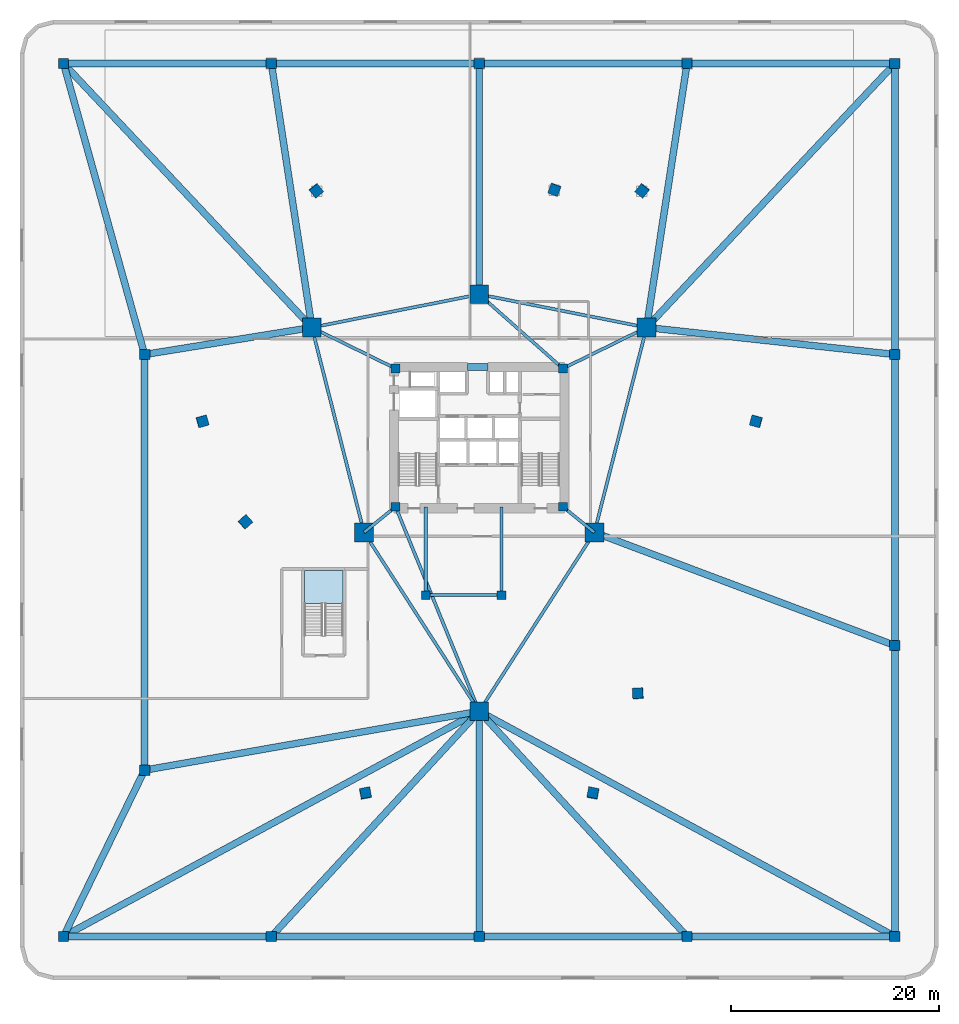
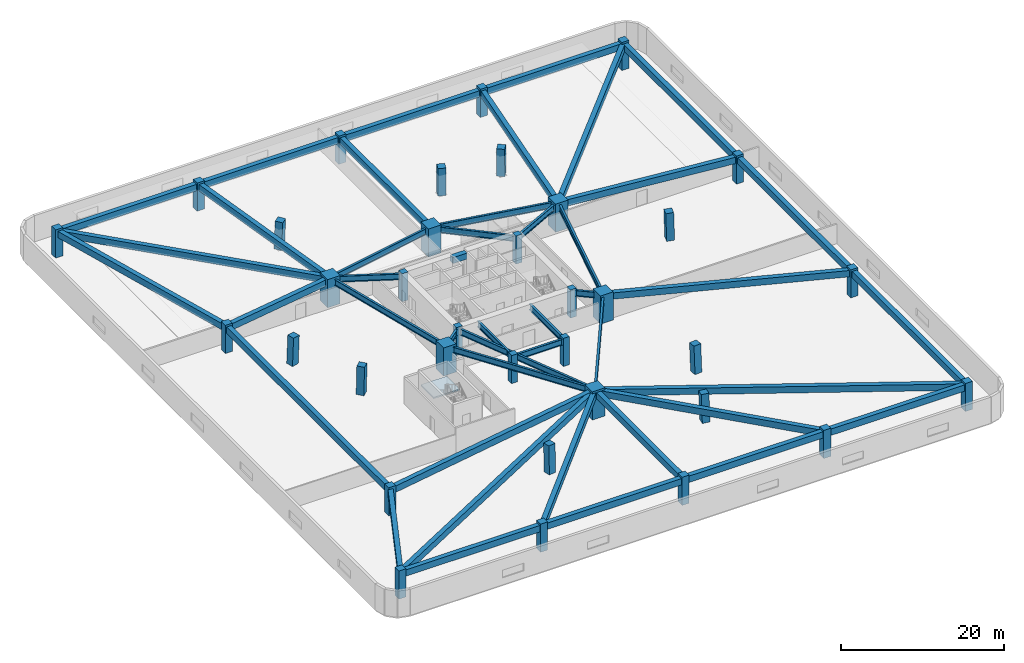
# One storey, part 1 of 10: 44 beams, 35 columns, 1 slab, 1 element without a shape of its own.
"""IFC4 building model written with IfcOpenShell, lengths in metres."""

from ifc_helpers import new_model, si_unit, direction, frame, origin, origin_2d, place, context, subcontext, project, spatial, polyline, rectangle, i_section, outline, extrude, material, layer, layer_set, material_profile, profile_set, type_object, element, aggregate, save


model = new_model("IFC4")

# Units and contexts
model_context = context("Model", 3, precision=1e-05, world=origin(), true_north=direction((0.0, 1.0)))
body_context = subcontext(model_context, "Body", "Model", "MODEL_VIEW")
ifc_project = project(units=[si_unit("LENGTHUNIT", "METRE"), si_unit("AREAUNIT", "SQUARE_METRE"), si_unit("VOLUMEUNIT", "CUBIC_METRE"), si_unit("PLANEANGLEUNIT", "RADIAN"), si_unit("MASSUNIT", "GRAM", prefix="KILO")], contexts=[model_context])

# Site, building, storey
site_placement = place(None, origin())
site = spatial("IfcSite", under=ifc_project, at=site_placement, CompositionType="ELEMENT")
building_placement = place(site_placement, origin())
building = spatial("IfcBuilding", under=site, at=building_placement, Name="Talyreon Biosciences Tower", CompositionType="ELEMENT")
storey_placement = place(building_placement, frame((0.0, 0.0, 14.39990234375)))
storey = spatial("IfcBuildingStorey", under=building, at=storey_placement, Name="L03", CompositionType="ELEMENT", Elevation=14.39990234375)

# Columns
ifc_material_1 = material(Name="Concrete C60/75", Category="concrete")
ifc_material_profile_1 = material_profile(ifc_material_1, rectangle(XDim=1.800048828125, YDim=1.800048828125, at=origin_2d()), Name="RC 1800x1800")
ifc_profile_set_1 = profile_set([ifc_material_profile_1], Name="Concrete C60/75")
column_type_1 = type_object("IfcColumnType", Name="MegaColumn_1800", PredefinedType="COLUMN", material=ifc_profile_set_1)
for number, where, z_axis, x_axis, name in (
    (1, (66.0, 41.6669921875, 0.0), (0.0, 0.0, 1.0), (1.0, 0.0, 0.0), "L03 Composite Mega-Column MC1"),
    (2, (82.102294921875, 78.5986328125, 0.0), (0.0, 0.0, 1.0), (1.0, 0.0, 0.0), "L03 Composite Mega-Column MC2"),
    (3, (49.897705078125, 78.5986328125, 0.0), (0.0, 0.0, 1.0), (1.0, 0.0, 0.0), "L03 Composite Mega-Column MC3"),
    (4, (77.086181640625, 58.88037109375, 0.0), (0.0, 0.0, 1.0), (1.0, 0.0, 0.0), "L03 Composite Mega-Column MC4"),
    (5, (66.0, 81.788818359375, 0.0), (0.0, 0.0, 1.0), (1.0, 0.0, 0.0), "L03 Composite Mega-Column MC5"),
    (6, (54.913818359375, 58.88037109375, 0.0), (0.0, 0.0, 1.0), (1.0, 0.0, 0.0), "L03 Composite Mega-Column MC6"),
):
    element("IfcColumn", number, at=place(storey_placement, frame(where, z_axis=z_axis, x_axis=x_axis)), inside=storey, type_object=column_type_1, Name=name, PredefinedType="COLUMN", context=body_context, shape_type="SweptSolid", body=[
        extrude(rectangle(XDim=1.800048828125, YDim=1.800048828125, at=origin_2d()), origin(), (0.0, 0.0, 1.0), 4.2001953125),
    ])
ifc_material_profile_2 = material_profile(ifc_material_1, rectangle(XDim=0.85009765625, YDim=0.85009765625, at=origin_2d()), Name="RC 850x850")
ifc_profile_set_2 = profile_set([ifc_material_profile_2], Name="Concrete C60/75")
column_type_2 = type_object("IfcColumnType", Name="PerimeterColumn_850", PredefinedType="COLUMN", material=ifc_profile_set_2)
for number, where, z_axis, x_axis, name in (
    (7, (57.949951171875, 61.35009765625, 0.0), (0.0, 0.0, 1.0), (1.0, 0.0, 0.0), "L03 Core Column CC1"),
    (8, (74.050048828125, 61.35009765625, 0.0), (0.0, 0.0, 1.0), (1.0, 0.0, 0.0), "L03 Core Column CC2"),
    (9, (74.050048828125, 74.64990234375, 0.0), (0.0, 0.0, 1.0), (1.0, 0.0, 0.0), "L03 Core Column CC3"),
    (10, (57.949951171875, 74.64990234375, 0.0), (0.0, 0.0, 1.0), (1.0, 0.0, 0.0), "L03 Core Column CC4"),
    (11, (60.85009765625, 52.840087890625, 0.0), (0.0, 0.0, 1.0), (1.0, 0.0, 0.0), "L03 Core Column CSW"),
    (12, (68.14990234375, 52.840087890625, 0.0), (0.0, 0.0, 1.0), (1.0, 0.0, 0.0), "L03 Core Column CSE"),
):
    element("IfcColumn", number, at=place(storey_placement, frame(where, z_axis=z_axis, x_axis=x_axis)), inside=storey, type_object=column_type_2, Name=name, PredefinedType="COLUMN", context=body_context, shape_type="SweptSolid", body=[
        extrude(rectangle(XDim=0.85009765625, YDim=0.85009765625, at=origin_2d()), origin(), (0.0, 0.0, 1.0), 4.2001953125),
    ])
ifc_material_profile_3 = material_profile(ifc_material_1, rectangle(XDim=1.0, YDim=1.0, at=origin_2d()), Name="RC 1000x1000")
ifc_profile_set_3 = profile_set([ifc_material_profile_3], Name="Concrete C60/75")
column_type_3 = type_object("IfcColumnType", Name="PodiumColumn_1000", PredefinedType="COLUMN", material=ifc_profile_set_3)
for number, where, z_axis, x_axis, name in (
    (13, (26.0, 20.0, 0.0), (0.0, 0.0, 1.0), (1.0, 0.0, 0.0), "L03 Podium Pilotis Column PDC01"),
    (14, (46.0, 20.0, 0.0), (0.0, 0.0, 1.0), (1.0, 0.0, 0.0), "L03 Podium Pilotis Column PDC02"),
    (15, (66.0, 20.0, 0.0), (0.0, 0.0, 1.0), (1.0, 0.0, 0.0), "L03 Podium Pilotis Column PDC03"),
    (16, (86.0, 20.0, 0.0), (0.0, 0.0, 1.0), (1.0, 0.0, 0.0), "L03 Podium Pilotis Column PDC04"),
    (17, (106.0, 20.0, 0.0), (0.0, 0.0, 1.0), (1.0, 0.0, 0.0), "L03 Podium Pilotis Column PDC05"),
    (18, (106.0, 48.0, 0.0), (0.0, 0.0, 1.0), (1.0, 0.0, 0.0), "L03 Podium Pilotis Column PDC06"),
    (19, (106.0, 76.0, 0.0), (0.0, 0.0, 1.0), (1.0, 0.0, 0.0), "L03 Podium Pilotis Column PDC07"),
    (20, (106.0, 104.0, 0.0), (0.0, 0.0, 1.0), (1.0, 0.0, 0.0), "L03 Podium Pilotis Column PDC08"),
    (21, (86.0, 104.0, 0.0), (0.0, 0.0, 1.0), (1.0, 0.0, 0.0), "L03 Podium Pilotis Column PDC09"),
    (22, (66.0, 104.0, 0.0), (0.0, 0.0, 1.0), (1.0, 0.0, 0.0), "L03 Podium Pilotis Column PDC10"),
    (23, (46.0, 104.0, 0.0), (0.0, 0.0, 1.0), (1.0, 0.0, 0.0), "L03 Podium Pilotis Column PDC11"),
    (24, (26.0, 104.0, 0.0), (0.0, 0.0, 1.0), (1.0, 0.0, 0.0), "L03 Podium Pilotis Column PDC12"),
    (25, (33.800048828125, 76.0, 0.0), (0.0, 0.0, 1.0), (1.0, 0.0, 0.0), "L03 Podium Pilotis Column PDC13"),
    (26, (33.800048828125, 36.0, 0.0), (0.0, 0.0, 1.0), (1.0, 0.0, 0.0), "L03 Podium Pilotis Column PDC14"),
):
    element("IfcColumn", number, at=place(storey_placement, frame(where, z_axis=z_axis, x_axis=x_axis)), inside=storey, type_object=column_type_3, Name=name, PredefinedType="COLUMN", context=body_context, shape_type="SweptSolid", body=[
        extrude(rectangle(XDim=1.0, YDim=1.0, at=origin_2d()), origin(), (0.0, 0.0, 1.0), 4.2001953125),
    ])
column_1_placement = place(storey_placement, frame((76.951904296875, 33.7734375, 0.003173828125), z_axis=(-0.010815034242, 0.047330311143, 0.998820743017), x_axis=(-0.187601692529, -0.981238194931, 0.04446582698)))
element("IfcColumn", 27, at=column_1_placement, inside=storey, type_object=column_type_3, Name="L03 Tapering Perimeter Column PC-SE1", PredefinedType="COLUMN", context=body_context, shape_type="SweptSolid", body=[
    extrude(rectangle(XDim=1.0, YDim=1.0, at=origin_2d()), origin(), (0.0, 0.0, 1.0), 4.19873046875),
])
column_2_placement = place(storey_placement, frame((81.268310546875, 43.37158203125, 0.003173828125), z_axis=(-0.017102931998, 0.033275092187, 0.999299883897), x_axis=(0.061322103147, -0.997529680531, 0.034265669786)))
element("IfcColumn", 28, at=column_2_placement, inside=storey, type_object=column_type_3, Name="L03 Tapering Perimeter Column PL-SE", PredefinedType="COLUMN", context=body_context, shape_type="SweptSolid", body=[
    extrude(rectangle(XDim=1.0, YDim=1.0, at=origin_2d()), origin(), (0.0, 0.0, 1.0), 4.19677734375),
])
column_3_placement = place(storey_placement, frame((92.643798828125, 69.572509765625, 0.003173828125), z_axis=(-0.034151263628, -0.004945242604, 0.999404440539), x_axis=(0.963413582725, -0.266149258752, 0.031604440917)))
element("IfcColumn", 29, at=column_3_placement, inside=storey, type_object=column_type_3, Name="L03 Tapering Perimeter Column PC-SE2", PredefinedType="COLUMN", context=body_context, shape_type="SweptSolid", body=[
    extrude(rectangle(XDim=1.0, YDim=1.0, at=origin_2d()), origin(), (0.0, 0.0, 1.0), 4.1962890625),
])
column_4_placement = place(storey_placement, frame((81.69189453125, 91.77099609375, 0.003173828125), z_axis=(-0.023327540233, -0.029144881937, 0.999302957928), x_axis=(-0.780716755404, 0.624885067698, 0.0)))
element("IfcColumn", 30, at=column_4_placement, inside=storey, type_object=column_type_3, Name="L03 Tapering Perimeter Column PC-N1", PredefinedType="COLUMN", context=body_context, shape_type="SweptSolid", body=[
    extrude(rectangle(XDim=1.0, YDim=1.0, at=origin_2d()), origin(), (0.0, 0.0, 1.0), 4.19677734375),
])
column_5_placement = place(storey_placement, frame((73.242431640625, 91.87109375, 0.003173828125), z_axis=(-0.010764387872, -0.029151126074, 0.999517053282), x_axis=(-0.9380871136, 0.346399433166, 0.0)))
element("IfcColumn", 31, at=column_5_placement, inside=storey, type_object=column_type_3, Name="L03 Tapering Perimeter Column PL-N", PredefinedType="COLUMN", context=body_context, shape_type="SweptSolid", body=[
    extrude(rectangle(XDim=1.0, YDim=1.0, at=origin_2d()), origin(), (0.0, 0.0, 1.0), 4.19580078125),
])
column_6_placement = place(storey_placement, frame((50.30810546875, 91.77099609375, 0.003173828125), z_axis=(0.023327540233, -0.029144881937, 0.999302957928), x_axis=(-0.780716755404, -0.624885067698, 0.0)))
element("IfcColumn", 32, at=column_6_placement, inside=storey, type_object=column_type_3, Name="L03 Tapering Perimeter Column PC-N2", PredefinedType="COLUMN", context=body_context, shape_type="SweptSolid", body=[
    extrude(rectangle(XDim=1.0, YDim=1.0, at=origin_2d()), origin(), (0.0, 0.0, 1.0), 4.19677734375),
])
column_7_placement = place(storey_placement, frame((39.356201171875, 69.572509765625, 0.003173828125), z_axis=(0.034151263628, -0.004945242604, 0.999404440539), x_axis=(0.963413582725, 0.266149258752, -0.031604440917)))
element("IfcColumn", 33, at=column_7_placement, inside=storey, type_object=column_type_3, Name="L03 Tapering Perimeter Column PC-SW1", PredefinedType="COLUMN", context=body_context, shape_type="SweptSolid", body=[
    extrude(rectangle(XDim=1.0, YDim=1.0, at=origin_2d()), origin(), (0.0, 0.0, 1.0), 4.1962890625),
])
column_8_placement = place(storey_placement, frame((43.489501953125, 59.894287109375, 0.003173828125), z_axis=(0.027814361936, 0.009135679548, 0.999571358448), x_axis=(0.744487734592, 0.66709748777, -0.026813333491)))
element("IfcColumn", 34, at=column_8_placement, inside=storey, type_object=column_type_3, Name="L03 Tapering Perimeter Column PL-SW", PredefinedType="COLUMN", context=body_context, shape_type="SweptSolid", body=[
    extrude(rectangle(XDim=1.0, YDim=1.0, at=origin_2d()), origin(), (0.0, 0.0, 1.0), 4.195556640625),
])
column_9_placement = place(storey_placement, frame((55.048095703125, 33.7734375, 0.003173828125), z_axis=(0.010815034242, 0.047330311143, 0.998820743017), x_axis=(-0.187601692529, 0.981238194931, -0.04446582698)))
element("IfcColumn", 35, at=column_9_placement, inside=storey, type_object=column_type_3, Name="L03 Tapering Perimeter Column PC-SW2", PredefinedType="COLUMN", context=body_context, shape_type="SweptSolid", body=[
    extrude(rectangle(XDim=1.0, YDim=1.0, at=origin_2d()), origin(), (0.0, 0.0, 1.0), 4.19873046875),
])

# Beams
ifc_material_profile_4 = material_profile(ifc_material_1, rectangle(XDim=0.699951171875, YDim=0.89990234375, at=origin_2d()), Name="RCB 700x900")
ifc_profile_set_4 = profile_set([ifc_material_profile_4], Name="Concrete C60/75")
beam_type_1 = type_object("IfcBeamType", Name="CoreCouplingLintel_700x900", PredefinedType="LINTEL", material=ifc_profile_set_4)
beam_1_placement = place(storey_placement, frame((64.85009765625, 74.800048828125, 3.4501953125), z_axis=(1.0, 0.0, 0.0), x_axis=(0.0, 1.0, 0.0)))
element("IfcBeam", 36, at=beam_1_placement, inside=storey, type_object=beam_type_1, Name="L03 Core Coupling Lintel", PredefinedType="LINTEL", context=body_context, shape_type="SweptSolid", body=[
    extrude(rectangle(XDim=0.699951171875, YDim=0.89990234375, at=origin_2d()), origin(), (0.0, 0.0, 1.0), 2.0),
])
ifc_material_2 = material(Name="Concrete C50/60", Category="concrete")
ifc_material_profile_5 = material_profile(ifc_material_2, rectangle(XDim=0.64990234375, YDim=0.949951171875, at=origin_2d()), Name="RCB 650x950")
ifc_profile_set_5 = profile_set([ifc_material_profile_5], Name="Concrete C50/60")
beam_type_2 = type_object("IfcBeamType", Name="PodiumGirder_650x950", PredefinedType="T_BEAM", material=ifc_profile_set_5)
for number, where, z_axis, x_axis, name in (
    (37, (26.0, 20.0, 3.425048828125), (1.0, 0.0, 0.0), (0.0, 1.0, 0.0), "L03 Podium Perimeter Ring Girder 01"),
    (38, (46.0, 20.0, 3.425048828125), (1.0, 0.0, 0.0), (0.0, 1.0, 0.0), "L03 Podium Perimeter Ring Girder 02"),
    (39, (66.0, 20.0, 3.425048828125), (1.0, 0.0, 0.0), (0.0, 1.0, 0.0), "L03 Podium Perimeter Ring Girder 03"),
    (40, (86.0, 20.0, 3.425048828125), (1.0, 0.0, 0.0), (0.0, 1.0, 0.0), "L03 Podium Perimeter Ring Girder 04"),
):
    element("IfcBeam", number, at=place(storey_placement, frame(where, z_axis=z_axis, x_axis=x_axis)), inside=storey, type_object=beam_type_2, Name=name, PredefinedType="T_BEAM", context=body_context, shape_type="SweptSolid", body=[
        extrude(rectangle(XDim=0.64990234375, YDim=0.949951171875, at=origin_2d()), origin(), (0.0, 0.0, 1.0), 20.0),
    ])
for number, where, z_axis, x_axis, name in (
    (41, (106.0, 20.0, 3.425048828125), (0.0, 1.0, 0.0), (-1.0, 0.0, 0.0), "L03 Podium Perimeter Ring Girder 05"),
    (42, (106.0, 48.0, 3.425048828125), (0.0, 1.0, 0.0), (-1.0, 0.0, 0.0), "L03 Podium Perimeter Ring Girder 06"),
    (43, (106.0, 76.0, 3.425048828125), (0.0, 1.0, 0.0), (-1.0, 0.0, 0.0), "L03 Podium Perimeter Ring Girder 07"),
):
    element("IfcBeam", number, at=place(storey_placement, frame(where, z_axis=z_axis, x_axis=x_axis)), inside=storey, type_object=beam_type_2, Name=name, PredefinedType="T_BEAM", context=body_context, shape_type="SweptSolid", body=[
        extrude(rectangle(XDim=0.64990234375, YDim=0.949951171875, at=origin_2d()), origin(), (0.0, 0.0, 1.0), 28.0),
    ])
for number, where, z_axis, x_axis, name in (
    (44, (106.0, 104.0, 3.425048828125), (-1.0, 0.0, 0.0), (0.0, -1.0, 0.0), "L03 Podium Perimeter Ring Girder 08"),
    (45, (86.0, 104.0, 3.425048828125), (-1.0, 0.0, 0.0), (0.0, -1.0, 0.0), "L03 Podium Perimeter Ring Girder 09"),
    (46, (66.0, 104.0, 3.425048828125), (-1.0, 0.0, 0.0), (0.0, -1.0, 0.0), "L03 Podium Perimeter Ring Girder 10"),
    (47, (46.0, 104.0, 3.425048828125), (-1.0, 0.0, 0.0), (0.0, -1.0, 0.0), "L03 Podium Perimeter Ring Girder 11"),
):
    element("IfcBeam", number, at=place(storey_placement, frame(where, z_axis=z_axis, x_axis=x_axis)), inside=storey, type_object=beam_type_2, Name=name, PredefinedType="T_BEAM", context=body_context, shape_type="SweptSolid", body=[
        extrude(rectangle(XDim=0.64990234375, YDim=0.949951171875, at=origin_2d()), origin(), (0.0, 0.0, 1.0), 20.0),
    ])
beam_2_placement = place(storey_placement, frame((26.0, 104.0, 3.425048828125), z_axis=(0.268355123678, -0.963320054601, 0.0), x_axis=(0.963320054601, 0.268355123678, 0.0)))
element("IfcBeam", 48, at=beam_2_placement, inside=storey, type_object=beam_type_2, Name="L03 Podium Perimeter Ring Girder 12", PredefinedType="T_BEAM", context=body_context, shape_type="SweptSolid", body=[
    extrude(rectangle(XDim=0.64990234375, YDim=0.949951171875, at=origin_2d()), origin(), (0.0, 0.0, 1.0), 29.066162109375),
])
beam_3_placement = place(storey_placement, frame((33.800048828125, 76.0, 3.425048828125), z_axis=(0.0, -1.0, 0.0), x_axis=(1.0, 0.0, 0.0)))
element("IfcBeam", 49, at=beam_3_placement, inside=storey, type_object=beam_type_2, Name="L03 Podium Perimeter Ring Girder 13", PredefinedType="T_BEAM", context=body_context, shape_type="SweptSolid", body=[
    extrude(rectangle(XDim=0.64990234375, YDim=0.949951171875, at=origin_2d()), origin(), (0.0, 0.0, 1.0), 40.0),
])
beam_4_placement = place(storey_placement, frame((33.800048828125, 36.0, 3.425048828125), z_axis=(-0.438204463597, -0.898875323993, 0.0), x_axis=(0.898875323993, -0.438204463597, 0.0)))
element("IfcBeam", 50, at=beam_4_placement, inside=storey, type_object=beam_type_2, Name="L03 Podium Perimeter Ring Girder 14", PredefinedType="T_BEAM", context=body_context, shape_type="SweptSolid", body=[
    extrude(rectangle(XDim=0.64990234375, YDim=0.949951171875, at=origin_2d()), origin(), (0.0, 0.0, 1.0), 17.800048828125),
])
beam_5_placement = place(storey_placement, frame((66.0, 41.6669921875, 3.425048828125), z_axis=(-0.879288969782, -0.47628868097, 0.0), x_axis=(0.47628868097, -0.879288969782, 0.0)))
element("IfcBeam", 51, at=beam_5_placement, inside=storey, type_object=beam_type_2, Name="L03 Podium Radial Tie Girder PDC01", PredefinedType="T_BEAM", context=body_context, shape_type="SweptSolid", body=[
    extrude(rectangle(XDim=0.64990234375, YDim=0.949951171875, at=origin_2d()), origin(), (0.0, 0.0, 1.0), 45.4912109375),
])
beam_6_placement = place(storey_placement, frame((66.0, 41.6669921875, 3.425048828125), z_axis=(-0.678274600536, -0.73480852354, 0.0), x_axis=(0.73480852354, -0.678274600536, 0.0)))
element("IfcBeam", 52, at=beam_6_placement, inside=storey, type_object=beam_type_2, Name="L03 Podium Radial Tie Girder PDC02", PredefinedType="T_BEAM", context=body_context, shape_type="SweptSolid", body=[
    extrude(rectangle(XDim=0.64990234375, YDim=0.949951171875, at=origin_2d()), origin(), (0.0, 0.0, 1.0), 29.486572265625),
])
beam_7_placement = place(storey_placement, frame((66.0, 41.6669921875, 3.425048828125), z_axis=(0.0, -1.0, 0.0), x_axis=(1.0, 0.0, 0.0)))
element("IfcBeam", 53, at=beam_7_placement, inside=storey, type_object=beam_type_2, Name="L03 Podium Radial Tie Girder PDC03", PredefinedType="T_BEAM", context=body_context, shape_type="SweptSolid", body=[
    extrude(rectangle(XDim=0.64990234375, YDim=0.949951171875, at=origin_2d()), origin(), (0.0, 0.0, 1.0), 21.6669921875),
])
beam_8_placement = place(storey_placement, frame((66.0, 41.6669921875, 3.425048828125), z_axis=(0.678274600536, -0.73480852354, 0.0), x_axis=(0.73480852354, 0.678274600536, 0.0)))
element("IfcBeam", 54, at=beam_8_placement, inside=storey, type_object=beam_type_2, Name="L03 Podium Radial Tie Girder PDC04", PredefinedType="T_BEAM", context=body_context, shape_type="SweptSolid", body=[
    extrude(rectangle(XDim=0.64990234375, YDim=0.949951171875, at=origin_2d()), origin(), (0.0, 0.0, 1.0), 29.486572265625),
])
beam_9_placement = place(storey_placement, frame((66.0, 41.6669921875, 3.425048828125), z_axis=(0.879288969782, -0.47628868097, 0.0), x_axis=(0.47628868097, 0.879288969782, 0.0)))
element("IfcBeam", 55, at=beam_9_placement, inside=storey, type_object=beam_type_2, Name="L03 Podium Radial Tie Girder PDC05", PredefinedType="T_BEAM", context=body_context, shape_type="SweptSolid", body=[
    extrude(rectangle(XDim=0.64990234375, YDim=0.949951171875, at=origin_2d()), origin(), (0.0, 0.0, 1.0), 45.4912109375),
])
beam_10_placement = place(storey_placement, frame((77.086181640625, 58.88037109375, 3.425048828125), z_axis=(0.935927476384, -0.352192786623, 0.0), x_axis=(0.352192786623, 0.935927476384, 0.0)))
element("IfcBeam", 56, at=beam_10_placement, inside=storey, type_object=beam_type_2, Name="L03 Podium Radial Tie Girder PDC06", PredefinedType="T_BEAM", context=body_context, shape_type="SweptSolid", body=[
    extrude(rectangle(XDim=0.64990234375, YDim=0.949951171875, at=origin_2d()), origin(), (0.0, 0.0, 1.0), 30.893310546875),
])
beam_11_placement = place(storey_placement, frame((82.102294921875, 78.5986328125, 3.425048828125), z_axis=(0.994139742168, -0.108102604236, 0.0), x_axis=(0.108102604236, 0.994139742168, 0.0)))
element("IfcBeam", 57, at=beam_11_placement, inside=storey, type_object=beam_type_2, Name="L03 Podium Radial Tie Girder PDC07", PredefinedType="T_BEAM", context=body_context, shape_type="SweptSolid", body=[
    extrude(rectangle(XDim=0.64990234375, YDim=0.949951171875, at=origin_2d()), origin(), (0.0, 0.0, 1.0), 24.03857421875),
])
beam_12_placement = place(storey_placement, frame((82.102294921875, 78.5986328125, 3.425048828125), z_axis=(0.685220788465, 0.728335411095, 0.0), x_axis=(-0.728335411095, 0.685220788465, 0.0)))
element("IfcBeam", 58, at=beam_12_placement, inside=storey, type_object=beam_type_2, Name="L03 Podium Radial Tie Girder PDC08", PredefinedType="T_BEAM", context=body_context, shape_type="SweptSolid", body=[
    extrude(rectangle(XDim=0.64990234375, YDim=0.949951171875, at=origin_2d()), origin(), (0.0, 0.0, 1.0), 34.8759765625),
])
beam_13_placement = place(storey_placement, frame((82.102294921875, 78.5986328125, 3.425048828125), z_axis=(0.151669534412, 0.988431258273, 0.0), x_axis=(-0.988431258273, 0.151669534412, 0.0)))
element("IfcBeam", 59, at=beam_13_placement, inside=storey, type_object=beam_type_2, Name="L03 Podium Radial Tie Girder PDC09", PredefinedType="T_BEAM", context=body_context, shape_type="SweptSolid", body=[
    extrude(rectangle(XDim=0.64990234375, YDim=0.949951171875, at=origin_2d()), origin(), (0.0, 0.0, 1.0), 25.69873046875),
])
beam_14_placement = place(storey_placement, frame((66.0, 81.788818359375, 3.425048828125), z_axis=(0.0, 1.0, 0.0), x_axis=(-1.0, 0.0, 0.0)))
element("IfcBeam", 60, at=beam_14_placement, inside=storey, type_object=beam_type_2, Name="L03 Podium Radial Tie Girder PDC10", PredefinedType="T_BEAM", context=body_context, shape_type="SweptSolid", body=[
    extrude(rectangle(XDim=0.64990234375, YDim=0.949951171875, at=origin_2d()), origin(), (0.0, 0.0, 1.0), 22.211181640625),
])
beam_15_placement = place(storey_placement, frame((49.897705078125, 78.5986328125, 3.425048828125), z_axis=(-0.151669534412, 0.988431258273, 0.0), x_axis=(-0.988431258273, -0.151669534412, 0.0)))
element("IfcBeam", 61, at=beam_15_placement, inside=storey, type_object=beam_type_2, Name="L03 Podium Radial Tie Girder PDC11", PredefinedType="T_BEAM", context=body_context, shape_type="SweptSolid", body=[
    extrude(rectangle(XDim=0.64990234375, YDim=0.949951171875, at=origin_2d()), origin(), (0.0, 0.0, 1.0), 25.69873046875),
])
beam_16_placement = place(storey_placement, frame((49.897705078125, 78.5986328125, 3.425048828125), z_axis=(-0.685220788465, 0.728335411095, 0.0), x_axis=(-0.728335411095, -0.685220788465, 0.0)))
element("IfcBeam", 62, at=beam_16_placement, inside=storey, type_object=beam_type_2, Name="L03 Podium Radial Tie Girder PDC12", PredefinedType="T_BEAM", context=body_context, shape_type="SweptSolid", body=[
    extrude(rectangle(XDim=0.64990234375, YDim=0.949951171875, at=origin_2d()), origin(), (0.0, 0.0, 1.0), 34.8759765625),
])
beam_17_placement = place(storey_placement, frame((49.897705078125, 78.5986328125, 3.425048828125), z_axis=(-0.987219548989, -0.159366125932, 0.0), x_axis=(0.159366125932, -0.987219548989, 0.0)))
element("IfcBeam", 63, at=beam_17_placement, inside=storey, type_object=beam_type_2, Name="L03 Podium Radial Tie Girder PDC13", PredefinedType="T_BEAM", context=body_context, shape_type="SweptSolid", body=[
    extrude(rectangle(XDim=0.64990234375, YDim=0.949951171875, at=origin_2d()), origin(), (0.0, 0.0, 1.0), 16.30615234375),
])
beam_18_placement = place(storey_placement, frame((66.0, 41.6669921875, 3.425048828125), z_axis=(-0.984863814232, -0.173329938024, 0.0), x_axis=(0.173329938024, -0.984863814232, 0.0)))
element("IfcBeam", 64, at=beam_18_placement, inside=storey, type_object=beam_type_2, Name="L03 Podium Radial Tie Girder PDC14", PredefinedType="T_BEAM", context=body_context, shape_type="SweptSolid", body=[
    extrude(rectangle(XDim=0.64990234375, YDim=0.949951171875, at=origin_2d()), origin(), (0.0, 0.0, 1.0), 32.69482421875),
])
ifc_material_3 = material(Name="Steel SM420", Category="steel")
ifc_material_profile_6 = material_profile(ifc_material_3, i_section(OverallWidth=0.300048828125, OverallDepth=0.89990234375, WebThickness=0.0185546875, FlangeThickness=0.034912109375, FilletRadius=0.030029296875, at=origin_2d()), Name="HE900B")
ifc_profile_set_6 = profile_set([ifc_material_profile_6], Name="Steel SM420")
beam_type_3 = type_object("IfcBeamType", Name="SteelGirder_HE900B", PredefinedType="BEAM", material=ifc_profile_set_6)
beam_19_placement = place(storey_placement, frame((66.0, 41.6669921875, 3.4501953125), z_axis=(0.541463723609, 0.840724114092, 0.0), x_axis=(-0.840724114092, 0.541463723609, 0.0)))
element("IfcBeam", 65, at=beam_19_placement, inside=storey, type_object=beam_type_3, Name="L03 Mega-Ring Girder 1", PredefinedType="BEAM", context=body_context, shape_type="SweptSolid", body=[
    extrude(i_section(OverallWidth=0.300048828125, OverallDepth=0.89990234375, WebThickness=0.0185546875, FlangeThickness=0.034912109375, FilletRadius=0.030029296875, at=origin_2d()), origin(), (0.0, 0.0, 1.0), 20.474365234375),
])
beam_20_placement = place(storey_placement, frame((77.086181640625, 58.88037109375, 3.4501953125), z_axis=(0.246537082299, 0.969133358755, 0.0), x_axis=(-0.969133358755, 0.246537082299, 0.0)))
element("IfcBeam", 66, at=beam_20_placement, inside=storey, type_object=beam_type_3, Name="L03 Mega-Ring Girder 2", PredefinedType="BEAM", context=body_context, shape_type="SweptSolid", body=[
    extrude(i_section(OverallWidth=0.300048828125, OverallDepth=0.89990234375, WebThickness=0.0185546875, FlangeThickness=0.034912109375, FilletRadius=0.030029296875, at=origin_2d()), origin(), (0.0, 0.0, 1.0), 20.34619140625),
])
for number, where, z_axis, x_axis, name in (
    (67, (82.102294921875, 78.5986328125, 3.4501953125), (-0.980933730698, 0.194342522311, 0.0), (-0.194342522311, -0.980933730698, 0.0), "L03 Mega-Ring Girder 3"),
    (68, (66.0, 81.788818359375, 3.4501953125), (-0.980933730698, -0.194342522311, 0.0), (0.194342522311, -0.980933730698, 0.0), "L03 Mega-Ring Girder 4"),
):
    element("IfcBeam", number, at=place(storey_placement, frame(where, z_axis=z_axis, x_axis=x_axis)), inside=storey, type_object=beam_type_3, Name=name, PredefinedType="BEAM", context=body_context, shape_type="SweptSolid", body=[
        extrude(i_section(OverallWidth=0.300048828125, OverallDepth=0.89990234375, WebThickness=0.0185546875, FlangeThickness=0.034912109375, FilletRadius=0.030029296875, at=origin_2d()), origin(), (0.0, 0.0, 1.0), 16.415283203125),
    ])
beam_21_placement = place(storey_placement, frame((49.897705078125, 78.5986328125, 3.4501953125), z_axis=(0.246537082299, -0.969133358755, 0.0), x_axis=(0.969133358755, 0.246537082299, 0.0)))
element("IfcBeam", 69, at=beam_21_placement, inside=storey, type_object=beam_type_3, Name="L03 Mega-Ring Girder 5", PredefinedType="BEAM", context=body_context, shape_type="SweptSolid", body=[
    extrude(i_section(OverallWidth=0.300048828125, OverallDepth=0.89990234375, WebThickness=0.0185546875, FlangeThickness=0.034912109375, FilletRadius=0.030029296875, at=origin_2d()), origin(), (0.0, 0.0, 1.0), 20.34619140625),
])
beam_22_placement = place(storey_placement, frame((54.913818359375, 58.88037109375, 3.4501953125), z_axis=(0.541463723609, -0.840724114092, 0.0), x_axis=(0.840724114092, 0.541463723609, 0.0)))
element("IfcBeam", 70, at=beam_22_placement, inside=storey, type_object=beam_type_3, Name="L03 Mega-Ring Girder 6", PredefinedType="BEAM", context=body_context, shape_type="SweptSolid", body=[
    extrude(i_section(OverallWidth=0.300048828125, OverallDepth=0.89990234375, WebThickness=0.0185546875, FlangeThickness=0.034912109375, FilletRadius=0.030029296875, at=origin_2d()), origin(), (0.0, 0.0, 1.0), 20.474365234375),
])
beam_23_placement = place(storey_placement, frame((57.949951171875, 61.35009765625, 3.4501953125), z_axis=(0.378547014545, -0.925582064314, 0.0), x_axis=(0.925582064314, 0.378547014545, 0.0)))
element("IfcBeam", 71, at=beam_23_placement, inside=storey, type_object=beam_type_3, Name="L03 Radial Primary Girder 1", PredefinedType="BEAM", context=body_context, shape_type="SweptSolid", body=[
    extrude(i_section(OverallWidth=0.300048828125, OverallDepth=0.89990234375, WebThickness=0.0185546875, FlangeThickness=0.034912109375, FilletRadius=0.030029296875, at=origin_2d()), origin(), (0.0, 0.0, 1.0), 21.265625),
])
beam_24_placement = place(storey_placement, frame((74.050048828125, 61.35009765625, 3.4501953125), z_axis=(0.775755154013, -0.631034025249, 0.0), x_axis=(0.631034025249, 0.775755154013, 0.0)))
element("IfcBeam", 72, at=beam_24_placement, inside=storey, type_object=beam_type_3, Name="L03 Radial Primary Girder 2", PredefinedType="BEAM", context=body_context, shape_type="SweptSolid", body=[
    extrude(i_section(OverallWidth=0.300048828125, OverallDepth=0.89990234375, WebThickness=0.0185546875, FlangeThickness=0.034912109375, FilletRadius=0.030029296875, at=origin_2d()), origin(), (0.0, 0.0, 1.0), 3.913818359375),
])
beam_25_placement = place(storey_placement, frame((74.050048828125, 74.64990234375, 3.4501953125), z_axis=(0.897852360314, 0.440296648952, 0.0), x_axis=(-0.440296648952, 0.897852360314, 0.0)))
element("IfcBeam", 73, at=beam_25_placement, inside=storey, type_object=beam_type_3, Name="L03 Radial Primary Girder 3", PredefinedType="BEAM", context=body_context, shape_type="SweptSolid", body=[
    extrude(i_section(OverallWidth=0.300048828125, OverallDepth=0.89990234375, WebThickness=0.0185546875, FlangeThickness=0.034912109375, FilletRadius=0.030029296875, at=origin_2d()), origin(), (0.0, 0.0, 1.0), 8.96826171875),
])
beam_26_placement = place(storey_placement, frame((74.050048828125, 74.64990234375, 3.4501953125), z_axis=(-0.748178733955, 0.663497235908, 0.0), x_axis=(-0.663497235908, -0.748178733955, 0.0)))
element("IfcBeam", 74, at=beam_26_placement, inside=storey, type_object=beam_type_3, Name="L03 Radial Primary Girder 4", PredefinedType="BEAM", context=body_context, shape_type="SweptSolid", body=[
    extrude(i_section(OverallWidth=0.300048828125, OverallDepth=0.89990234375, WebThickness=0.0185546875, FlangeThickness=0.034912109375, FilletRadius=0.030029296875, at=origin_2d()), origin(), (0.0, 0.0, 1.0), 10.759521484375),
])
beam_27_placement = place(storey_placement, frame((57.949951171875, 74.64990234375, 3.4501953125), z_axis=(-0.897852360314, 0.440296648952, 0.0), x_axis=(-0.440296648952, -0.897852360314, 0.0)))
element("IfcBeam", 75, at=beam_27_placement, inside=storey, type_object=beam_type_3, Name="L03 Radial Primary Girder 5", PredefinedType="BEAM", context=body_context, shape_type="SweptSolid", body=[
    extrude(i_section(OverallWidth=0.300048828125, OverallDepth=0.89990234375, WebThickness=0.0185546875, FlangeThickness=0.034912109375, FilletRadius=0.030029296875, at=origin_2d()), origin(), (0.0, 0.0, 1.0), 8.96826171875),
])
beam_28_placement = place(storey_placement, frame((57.949951171875, 61.35009765625, 3.4501953125), z_axis=(-0.775755154013, -0.631034025249, 0.0), x_axis=(0.631034025249, -0.775755154013, 0.0)))
element("IfcBeam", 76, at=beam_28_placement, inside=storey, type_object=beam_type_3, Name="L03 Radial Primary Girder 6", PredefinedType="BEAM", context=body_context, shape_type="SweptSolid", body=[
    extrude(i_section(OverallWidth=0.300048828125, OverallDepth=0.89990234375, WebThickness=0.0185546875, FlangeThickness=0.034912109375, FilletRadius=0.030029296875, at=origin_2d()), origin(), (0.0, 0.0, 1.0), 3.913818359375),
])
beam_29_placement = place(storey_placement, frame((60.85009765625, 52.840087890625, 3.4501953125), z_axis=(1.0, 0.0, 0.0), x_axis=(0.0, 1.0, 0.0)))
element("IfcBeam", 77, at=beam_29_placement, inside=storey, type_object=beam_type_3, Name="L03 Crown Shaft Spine Girder S", PredefinedType="BEAM", context=body_context, shape_type="SweptSolid", body=[
    extrude(i_section(OverallWidth=0.300048828125, OverallDepth=0.89990234375, WebThickness=0.0185546875, FlangeThickness=0.034912109375, FilletRadius=0.030029296875, at=origin_2d()), origin(), (0.0, 0.0, 1.0), 7.2998046875),
])
for number, where, z_axis, x_axis, name in (
    (78, (60.85009765625, 52.840087890625, 3.4501953125), (0.0, 1.0, 0.0), (-1.0, 0.0, 0.0), "L03 Crown Shaft Tie Girder W"),
    (79, (68.14990234375, 52.840087890625, 3.4501953125), (0.0, 1.0, 0.0), (-1.0, 0.0, 0.0), "L03 Crown Shaft Tie Girder E"),
):
    element("IfcBeam", number, at=place(storey_placement, frame(where, z_axis=z_axis, x_axis=x_axis)), inside=storey, type_object=beam_type_3, Name=name, PredefinedType="BEAM", context=body_context, shape_type="SweptSolid", body=[
        extrude(i_section(OverallWidth=0.300048828125, OverallDepth=0.89990234375, WebThickness=0.0185546875, FlangeThickness=0.034912109375, FilletRadius=0.030029296875, at=origin_2d()), origin(), (0.0, 0.0, 1.0), 8.510009765625),
    ])

# Stair, slab
ifc_material_4 = material(Name="Concrete C40/50", Category="concrete")
stair_type = type_object("IfcStairType", Name="DoglegEscapeStair_4200", PredefinedType="HALF_TURN_STAIR", material=ifc_material_4)
stair_placement = place(storey_placement, origin())
stair = element("IfcStair", 80, at=stair_placement, inside=storey, type_object=stair_type, Name="L03 Podium Escape Stair 3", PredefinedType="HALF_TURN_STAIR")
ifc_layer = layer(ifc_material_4, 0.199951171875)
ifc_layer_set = layer_set([ifc_layer], Name="Concrete C40/50")
slab_type = type_object("IfcSlabType", Name="StairLandingSlab_200", PredefinedType="LANDING", material=ifc_layer_set)
slab_placement = place(storey_placement, frame((0.0, 0.0, 1.900146484375)))
slab = element("IfcSlab", 81, at=slab_placement, type_object=slab_type, Name="ST-3 landing 1", PredefinedType="LANDING", context=body_context, shape_type="SweptSolid", body=[
    extrude(outline(polyline([(52.8798828125, 52.030029296875), (52.8798828125, 55.199951171875), (49.199951171875, 55.199951171875), (49.199951171875, 52.030029296875), (52.8798828125, 52.030029296875)])), origin(), (0.0, 0.0, 1.0), 0.199951171875),
])
aggregate(stair, [slab])

save(model, "model.ifc")
